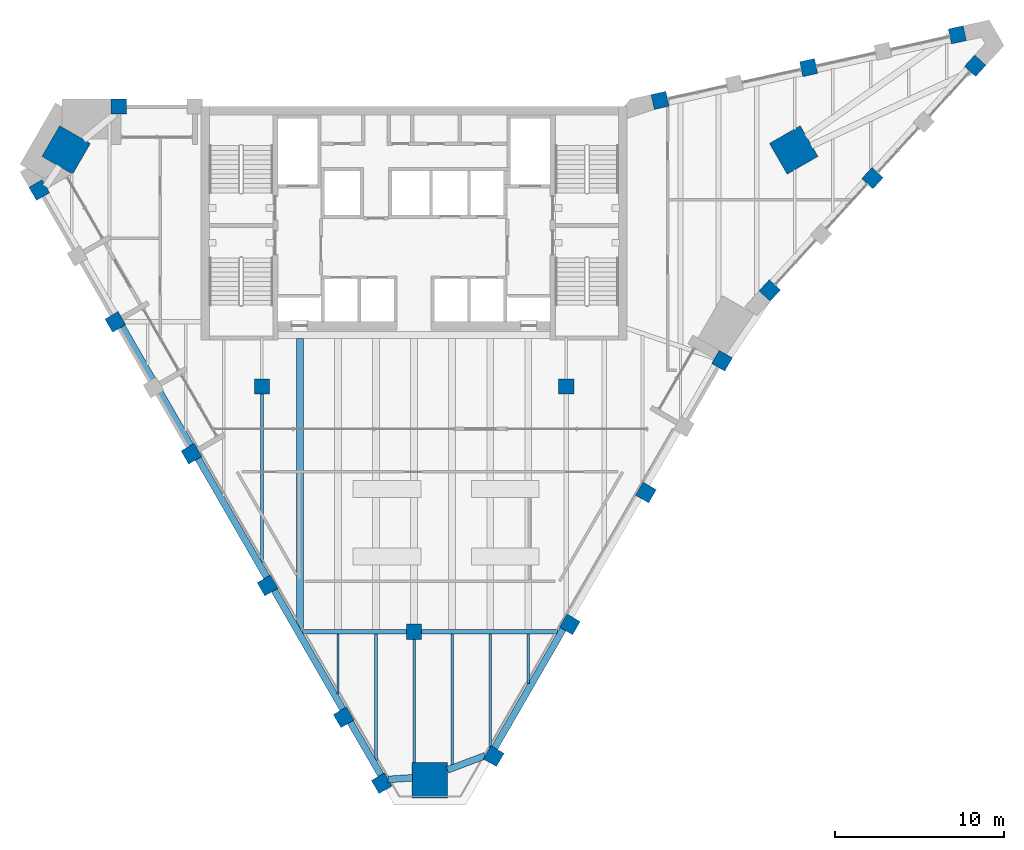
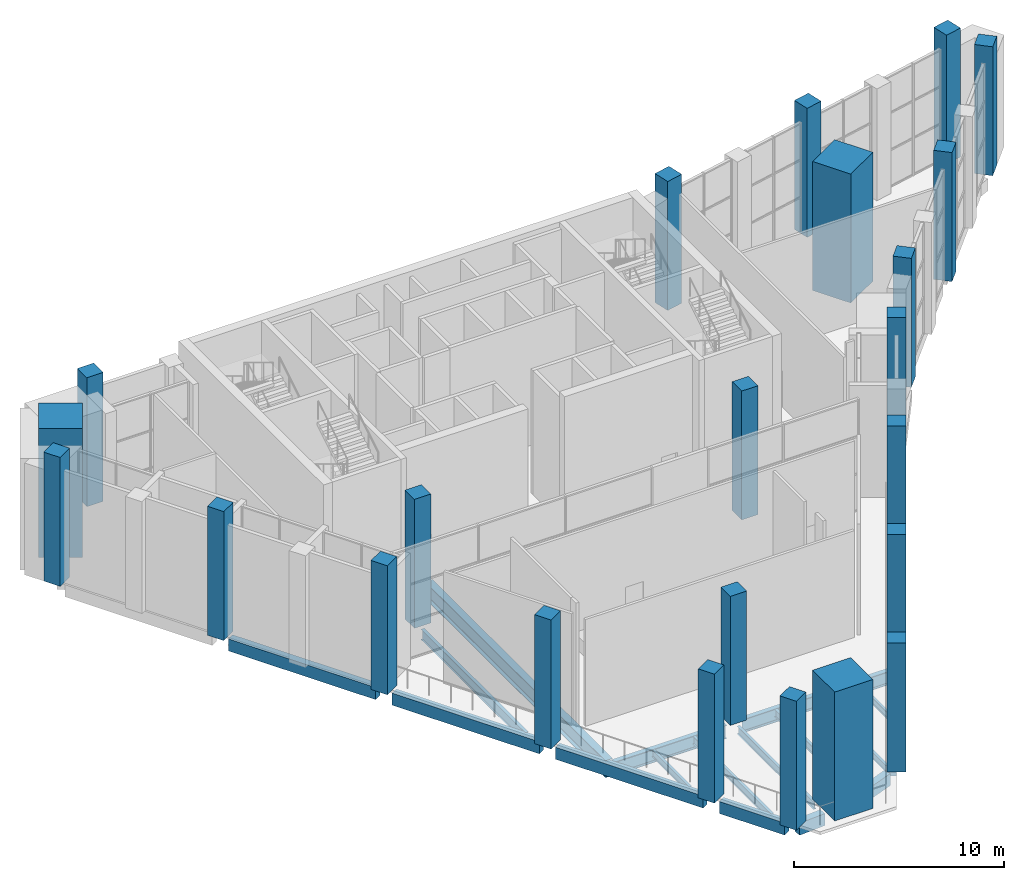
# One storey, part 1 of 14: 23 columns, 17 beams.
"""IFC4 building model written with IfcOpenShell, lengths in metres."""

from ifc_helpers import new_model, si_unit, direction, frame, origin, origin_2d, place, context, subcontext, project, spatial, rectangle, i_section, extrude, material, material_profile, profile_set, type_object, element, save


model = new_model("IFC4")

# Units and contexts
model_context = context("Model", 3, precision=1e-05, world=origin(), true_north=direction((0.0, 1.0)))
body_context = subcontext(model_context, "Body", "Model", "MODEL_VIEW")
ifc_project = project(units=[si_unit("LENGTHUNIT", "METRE"), si_unit("AREAUNIT", "SQUARE_METRE"), si_unit("VOLUMEUNIT", "CUBIC_METRE"), si_unit("PLANEANGLEUNIT", "RADIAN"), si_unit("MASSUNIT", "GRAM", prefix="KILO")], contexts=[model_context])

# Site, building, storey
site_placement = place(None, origin())
site = spatial("IfcSite", under=ifc_project, at=site_placement, CompositionType="ELEMENT")
building_placement = place(site_placement, origin())
building = spatial("IfcBuilding", under=site, at=building_placement, Name="Calabash Gate Tower", CompositionType="ELEMENT")
storey_placement = place(building_placement, frame((0.0, 0.0, 295.0)))
storey = spatial("IfcBuildingStorey", under=building, at=storey_placement, Name="L71", CompositionType="ELEMENT", Elevation=295.0)

# Columns
ifc_material_1 = material(Name="Concrete C60/75", Category="concrete")
ifc_material_profile_1 = material_profile(ifc_material_1, rectangle(XDim=0.89990234375, YDim=0.89990234375, at=origin_2d()))
ifc_profile_set_1 = profile_set([ifc_material_profile_1], Name="Concrete C60/75")
column_type_1 = type_object("IfcColumnType", Name="Interior column RC 900x900 Concrete C60/75", PredefinedType="COLUMN", material=ifc_profile_set_1)
for number, where, z_axis, x_axis, name in (
    (1, (-9.0, 2.5, 0.0), (0.0, 0.0, 1.0), (1.0, 0.0, 0.0), "Interior column L71 I0"),
    (2, (9.0, 2.5, 0.0), (0.0, 0.0, 1.0), (1.0, 0.0, 0.0), "Interior column L71 I1"),
    (3, (0.0, -12.0, 0.0), (0.0, 0.0, 1.0), (1.0, 0.0, 0.0), "Interior column L71 I2"),
):
    element("IfcColumn", number, at=place(storey_placement, frame(where, z_axis=z_axis, x_axis=x_axis)), inside=storey, type_object=column_type_1, Name=name, PredefinedType="COLUMN", context=body_context, shape_type="SweptSolid", body=[
        extrude(rectangle(XDim=0.89990234375, YDim=0.89990234375, at=origin_2d()), origin(), (0.0, 0.0, 1.0), 7.5),
    ])
ifc_material_2 = material(Name="Concrete C60/75", Category="concrete")
ifc_material_profile_2 = material_profile(ifc_material_2, rectangle(XDim=2.10009765625, YDim=2.10009765625, at=origin_2d()))
ifc_profile_set_2 = profile_set([ifc_material_profile_2], Name="Concrete C60/75")
column_type_2 = type_object("IfcColumnType", Name="Mega column RC 2100x2100 Concrete C60/75", PredefinedType="COLUMN", material=ifc_profile_set_2)
for number, where, z_axis, x_axis, name in (
    (4, (-20.572998046875, 16.491943359375, 0.0), (0.0, 0.0, 1.0), (0.866025395058, -0.500000015115, 0.0), "Mega column L71 NW"),
    (5, (22.447021484375, 16.491943359375, 0.0), (0.0, 0.0, 1.0), (-0.866025395058, -0.500000015115, 0.0), "Mega column L71 NE"),
    (6, (0.93603515625, -20.76611328125, 0.0), (0.0, 0.0, 1.0), (0.0, 1.0, 0.0), "Mega column L71 S"),
):
    element("IfcColumn", number, at=place(storey_placement, frame(where, z_axis=z_axis, x_axis=x_axis)), inside=storey, type_object=column_type_2, Name=name, PredefinedType="COLUMN", context=body_context, shape_type="SweptSolid", body=[
        extrude(rectangle(XDim=2.10009765625, YDim=2.10009765625, at=origin_2d()), origin(), (0.0, 0.0, 1.0), 7.5),
    ])
ifc_material_3 = material(Name="Concrete C50/60", Category="concrete")
ifc_material_profile_3 = material_profile(ifc_material_3, rectangle(XDim=0.89990234375, YDim=0.89990234375, at=origin_2d()))
ifc_profile_set_3 = profile_set([ifc_material_profile_3], Name="Concrete C50/60")
column_type_3 = type_object("IfcColumnType", Name="Perimeter column RC 900x900 Concrete C50/60", PredefinedType="COLUMN", material=ifc_profile_set_3)
for number, where, z_axis, x_axis, name in (
    (7, (-22.162109375, 14.1201171875, 0.0), (0.0, 0.0, 1.0), (0.500000015115, -0.866025395058, 0.0), "Perimeter column L71 P20"),
    (8, (-17.662109375, 6.325927734375, 0.0), (0.0, 0.0, 1.0), (0.500000015115, -0.866025395058, 0.0), "Perimeter column L71 P00"),
    (9, (-13.162109375, -1.468017578125, 0.0), (0.0, 0.0, 1.0), (0.500000015115, -0.866025395058, 0.0), "Perimeter column L71 P01"),
    (10, (-8.662109375, -9.262939453125, 0.0), (0.0, 0.0, 1.0), (0.500000015115, -0.866025395058, 0.0), "Perimeter column L71 P02"),
    (11, (-4.162109375, -17.056884765625, 0.0), (0.0, 0.0, 1.0), (0.500000015115, -0.866025395058, 0.0), "Perimeter column L71 P03"),
    (12, (-1.912109375, -20.9541015625, 0.0), (0.0, 0.0, 1.0), (0.500000015115, -0.866025395058, 0.0), "Perimeter column L71 P25"),
    (13, (4.7080078125, -19.35302734375, 0.0), (0.0, 0.0, 1.0), (0.499999984885, 0.866025412511, 0.0), "Perimeter column L71 P08"),
    (14, (9.2080078125, -11.55908203125, 0.0), (0.0, 0.0, 1.0), (0.499999984885, 0.866025412511, 0.0), "Perimeter column L71 P09"),
    (15, (13.7080078125, -3.762939453125, 0.0), (0.0, 0.0, 1.0), (0.499999984885, 0.866025412511, 0.0), "Perimeter column L71 P10"),
    (16, (18.2080078125, 4.030029296875, 0.0), (0.0, 0.0, 1.0), (0.499999984885, 0.866025412511, 0.0), "Perimeter column L71 P11"),
    (17, (21.031005859375, 8.18701171875, 0.0), (0.0, 0.0, 1.0), (0.67485604152, 0.737949404244, 0.0), "Perimeter column L71 P12"),
    (18, (27.10400390625, 14.825927734375, 0.0), (0.0, 0.0, 1.0), (0.67485604152, 0.737949404244, 0.0), "Perimeter column L71 P36"),
    (19, (33.177978515625, 21.468017578125, 0.0), (0.0, 0.0, 1.0), (0.67485604152, 0.737949404244, 0.0), "Perimeter column L71 P37"),
    (20, (32.12109375, 23.298095703125, 0.0), (0.0, 0.0, 1.0), (-0.976510951543, -0.215467773731, 0.0), "Perimeter column L71 P38"),
    (21, (23.3330078125, 21.35888671875, 0.0), (0.0, 0.0, 1.0), (-0.976510951543, -0.215467773731, 0.0), "Perimeter column L71 P39"),
    (22, (14.5439453125, 19.4189453125, 0.0), (0.0, 0.0, 1.0), (-0.976510951543, -0.215467773731, 0.0), "Perimeter column L71 P40"),
    (23, (-17.466064453125, 19.052978515625, 0.0), (0.0, 0.0, 1.0), (-1.0, 0.0, 0.0), "Perimeter column L71 P31"),
):
    element("IfcColumn", number, at=place(storey_placement, frame(where, z_axis=z_axis, x_axis=x_axis)), inside=storey, type_object=column_type_3, Name=name, PredefinedType="COLUMN", context=body_context, shape_type="SweptSolid", body=[
        extrude(rectangle(XDim=0.89990234375, YDim=0.89990234375, at=origin_2d()), origin(), (0.0, 0.0, 1.0), 7.5),
    ])

# Beams
ifc_material_4 = material(Name="Concrete C50/60", Category="concrete")
ifc_material_profile_4 = material_profile(ifc_material_4, rectangle(XDim=0.39990234375, YDim=0.699951171875, at=origin_2d()))
ifc_profile_set_4 = profile_set([ifc_material_profile_4], Name="Concrete C50/60")
beam_type_1 = type_object("IfcBeamType", Name="Edge beam RC 400x700 Concrete C50/60", PredefinedType="BEAM", material=ifc_profile_set_4)
for number, where, z_axis, x_axis, name in (
    (24, (-12.763916015625, -1.758056640625, -0.52001953125), (0.499977274689, -0.866038523851, 0.0), (0.866038523851, 0.499977274689, 0.0), "Edge beam L71 1"),
    (25, (-8.263916015625, -9.552001953125, -0.52001953125), (0.499977274689, -0.866038523851, 0.0), (0.866038523851, 0.499977274689, 0.0), "Edge beam L71 2"),
):
    element("IfcBeam", number, at=place(storey_placement, frame(where, z_axis=z_axis, x_axis=x_axis)), inside=storey, type_object=beam_type_1, Name=name, PredefinedType="BEAM", context=body_context, shape_type="SweptSolid", body=[
        extrude(rectangle(XDim=0.39990234375, YDim=0.699951171875, at=origin_2d()), origin(), (0.0, 0.0, 1.0), 8.10009765625),
    ])
beam_1_placement = place(storey_placement, frame((-3.763916015625, -17.346923828125, -0.52001953125), z_axis=(0.50001992892, -0.866013897511, 0.0), x_axis=(0.866013897511, 0.50001992892, 0.0)))
element("IfcBeam", 26, at=beam_1_placement, inside=storey, type_object=beam_type_1, Name="Edge beam L71 3", PredefinedType="BEAM", context=body_context, shape_type="SweptSolid", body=[
    extrude(rectangle(XDim=0.39990234375, YDim=0.699951171875, at=origin_2d()), origin(), (0.0, 0.0, 1.0), 3.599365234375),
])
beam_2_placement = place(storey_placement, frame((-1.54296875, -20.72900390625, -0.52001953125), z_axis=(0.997820674336, 0.065984103149, 0.0), x_axis=(-0.065984103149, 0.997820674336, 0.0)))
element("IfcBeam", 27, at=beam_2_placement, inside=storey, type_object=beam_type_1, Name="Edge beam L71 4", PredefinedType="BEAM", context=body_context, shape_type="SweptSolid", body=[
    extrude(rectangle(XDim=0.39990234375, YDim=0.699951171875, at=origin_2d()), origin(), (0.0, 0.0, 1.0), 1.4541015625),
])
beam_3_placement = place(storey_placement, frame((1.967041015625, -20.1669921875, -0.52001953125), z_axis=(0.936082215366, 0.351781304329, 0.0), x_axis=(-0.351781304329, 0.936082215366, 0.0)))
element("IfcBeam", 28, at=beam_3_placement, inside=storey, type_object=beam_type_1, Name="Edge beam L71 5", PredefinedType="BEAM", context=body_context, shape_type="SweptSolid", body=[
    extrude(rectangle(XDim=0.39990234375, YDim=0.699951171875, at=origin_2d()), origin(), (0.0, 0.0, 1.0), 2.399169921875),
])
beam_4_placement = place(storey_placement, frame((4.760009765625, -18.863037109375, -0.52001953125), z_axis=(0.50005208986, 0.865995327601, 0.0), x_axis=(-0.865995327601, 0.50005208986, 0.0)))
element("IfcBeam", 29, at=beam_4_placement, inside=storey, type_object=beam_type_1, Name="Edge beam L71 6", PredefinedType="BEAM", context=body_context, shape_type="SweptSolid", body=[
    extrude(rectangle(XDim=0.39990234375, YDim=0.699951171875, at=origin_2d()), origin(), (0.0, 0.0, 1.0), 8.099365234375),
])
beam_5_placement = place(storey_placement, frame((-17.263916015625, 6.035888671875, -0.52001953125), z_axis=(0.499977274689, -0.866038523851, 0.0), x_axis=(0.866038523851, 0.499977274689, 0.0)))
element("IfcBeam", 30, at=beam_5_placement, inside=storey, type_object=beam_type_1, Name="Edge beam L71 19", PredefinedType="BEAM", context=body_context, shape_type="SweptSolid", body=[
    extrude(rectangle(XDim=0.39990234375, YDim=0.699951171875, at=origin_2d()), origin(), (0.0, 0.0, 1.0), 8.10009765625),
])
ifc_material_5 = material(Name="Steel ASTM A992 Gr50", Category="steel")
ifc_material_profile_5 = material_profile(ifc_material_5, i_section(OverallWidth=0.1396484375, OverallDepth=0.398681640625, WebThickness=0.00634765625, FlangeThickness=0.0087890625, FilletRadius=0.01025390625, at=origin_2d()))
ifc_profile_set_5 = profile_set([ifc_material_profile_5], Name="Steel ASTM A992 Gr50")
beam_type_2 = type_object("IfcBeamType", Name="Floor beam W16x26 ASTM A992 Gr50", PredefinedType="BEAM", material=ifc_profile_set_5)
beam_6_placement = place(storey_placement, frame((-4.5, -15.68310546875, -0.368896484375), z_axis=(0.0, 1.0, 0.0), x_axis=(-1.0, 0.0, 0.0)))
element("IfcBeam", 31, at=beam_6_placement, inside=storey, type_object=beam_type_2, Name="Floor beam L71 9", PredefinedType="BEAM", context=body_context, shape_type="SweptSolid", body=[
    extrude(i_section(OverallWidth=0.1396484375, OverallDepth=0.398681640625, WebThickness=0.00634765625, FlangeThickness=0.0087890625, FilletRadius=0.01025390625, at=origin_2d()), origin(), (0.0, 0.0, 1.0), 3.550048828125),
])
beam_7_placement = place(storey_placement, frame((4.5, -18.843017578125, -0.368896484375), z_axis=(0.0, 1.0, 0.0), x_axis=(-1.0, 0.0, 0.0)))
element("IfcBeam", 32, at=beam_7_placement, inside=storey, type_object=beam_type_2, Name="Floor beam L71 17", PredefinedType="BEAM", context=body_context, shape_type="SweptSolid", body=[
    extrude(i_section(OverallWidth=0.1396484375, OverallDepth=0.398681640625, WebThickness=0.00634765625, FlangeThickness=0.0087890625, FilletRadius=0.01025390625, at=origin_2d()), origin(), (0.0, 0.0, 1.0), 6.7099609375),
])
beam_8_placement = place(storey_placement, frame((6.75, -15.048095703125, -0.368896484375), z_axis=(0.0, 1.0, 0.0), x_axis=(-1.0, 0.0, 0.0)))
element("IfcBeam", 33, at=beam_8_placement, inside=storey, type_object=beam_type_2, Name="Floor beam L71 19", PredefinedType="BEAM", context=body_context, shape_type="SweptSolid", body=[
    extrude(i_section(OverallWidth=0.1396484375, OverallDepth=0.398681640625, WebThickness=0.00634765625, FlangeThickness=0.0087890625, FilletRadius=0.01025390625, at=origin_2d()), origin(), (0.0, 0.0, 1.0), 2.9150390625),
])
ifc_material_6 = material(Name="Steel ASTM A992 Gr50", Category="steel")
ifc_material_profile_6 = material_profile(ifc_material_6, i_section(OverallWidth=0.15234375, OverallDepth=0.44970703125, WebThickness=0.007568359375, FlangeThickness=0.0107421875, FilletRadius=0.01025390625, at=origin_2d()))
ifc_profile_set_6 = profile_set([ifc_material_profile_6], Name="Steel ASTM A992 Gr50")
beam_type_3 = type_object("IfcBeamType", Name="Floor beam W18x35 ASTM A992 Gr50", PredefinedType="BEAM", material=ifc_profile_set_6)
beam_9_placement = place(storey_placement, frame((-2.25, -19.60009765625, -0.39306640625), z_axis=(0.0, 1.0, 0.0), x_axis=(-1.0, 0.0, 0.0)))
element("IfcBeam", 34, at=beam_9_placement, inside=storey, type_object=beam_type_3, Name="Floor beam L71 11", PredefinedType="BEAM", context=body_context, shape_type="SweptSolid", body=[
    extrude(i_section(OverallWidth=0.15234375, OverallDepth=0.44970703125, WebThickness=0.007568359375, FlangeThickness=0.0107421875, FilletRadius=0.01025390625, at=origin_2d()), origin(), (0.0, 0.0, 1.0), 7.467041015625),
])
beam_10_placement = place(storey_placement, frame((0.0, -19.716064453125, -0.39306640625), z_axis=(0.0, 1.0, 0.0), x_axis=(-1.0, 0.0, 0.0)))
element("IfcBeam", 35, at=beam_10_placement, inside=storey, type_object=beam_type_3, Name="Floor beam L71 13", PredefinedType="BEAM", context=body_context, shape_type="SweptSolid", body=[
    extrude(i_section(OverallWidth=0.15234375, OverallDepth=0.44970703125, WebThickness=0.007568359375, FlangeThickness=0.0107421875, FilletRadius=0.01025390625, at=origin_2d()), origin(), (0.0, 0.0, 1.0), 7.26611328125),
])
beam_11_placement = place(storey_placement, frame((2.25, -19.85888671875, -0.39306640625), z_axis=(0.0, 1.0, 0.0), x_axis=(-1.0, 0.0, 0.0)))
element("IfcBeam", 36, at=beam_11_placement, inside=storey, type_object=beam_type_3, Name="Floor beam L71 15", PredefinedType="BEAM", context=body_context, shape_type="SweptSolid", body=[
    extrude(i_section(OverallWidth=0.15234375, OverallDepth=0.44970703125, WebThickness=0.007568359375, FlangeThickness=0.0107421875, FilletRadius=0.01025390625, at=origin_2d()), origin(), (0.0, 0.0, 1.0), 7.725830078125),
])
ifc_material_7 = material(Name="Steel ASTM A992 Gr50", Category="steel")
ifc_material_profile_7 = material_profile(ifc_material_7, i_section(OverallWidth=0.1787109375, OverallDepth=0.60205078125, WebThickness=0.010986328125, FlangeThickness=0.014892578125, FilletRadius=0.0126953125, at=origin_2d()))
ifc_profile_set_7 = profile_set([ifc_material_profile_7], Name="Steel ASTM A992 Gr50")
beam_type_4 = type_object("IfcBeamType", Name="Floor beam W24x62 ASTM A992 Gr50", PredefinedType="BEAM", material=ifc_profile_set_7)
beam_12_placement = place(storey_placement, frame((-9.0, -7.888916015625, -0.470947265625), z_axis=(0.0, 1.0, 0.0), x_axis=(-1.0, 0.0, 0.0)))
element("IfcBeam", 37, at=beam_12_placement, inside=storey, type_object=beam_type_4, Name="Floor beam L71 6", PredefinedType="BEAM", context=body_context, shape_type="SweptSolid", body=[
    extrude(i_section(OverallWidth=0.1787109375, OverallDepth=0.60205078125, WebThickness=0.010986328125, FlangeThickness=0.014892578125, FilletRadius=0.0126953125, at=origin_2d()), origin(), (0.0, 0.0, 1.0), 9.93896484375),
])
ifc_material_8 = material(Name="Steel ASTM A992 Gr50", Category="steel")
ifc_material_profile_8 = material_profile(ifc_material_8, i_section(OverallWidth=0.4013671875, OverallDepth=0.990478515625, WebThickness=0.0166015625, FlangeThickness=0.031005859375, FilletRadius=0.030029296875, at=origin_2d()))
ifc_profile_set_8 = profile_set([ifc_material_profile_8], Name="Steel ASTM A992 Gr50")
beam_type_5 = type_object("IfcBeamType", Name="Floor beam W40x215 ASTM A992 Gr50", PredefinedType="BEAM", material=ifc_profile_set_8)
beam_13_placement = place(storey_placement, frame((-6.75, -11.805908203125, -0.6630859375), z_axis=(0.0, 1.0, 0.0), x_axis=(-1.0, 0.0, 0.0)))
element("IfcBeam", 38, at=beam_13_placement, inside=storey, type_object=beam_type_5, Name="Floor beam L71 8", PredefinedType="BEAM", context=body_context, shape_type="SweptSolid", body=[
    extrude(i_section(OverallWidth=0.4013671875, OverallDepth=0.990478515625, WebThickness=0.0166015625, FlangeThickness=0.031005859375, FilletRadius=0.030029296875, at=origin_2d()), origin(), (0.0, 0.0, 1.0), 17.157958984375),
])
ifc_material_9 = material(Name="Steel ASTM A992 Gr50", Category="steel")
ifc_material_profile_9 = material_profile(ifc_material_9, i_section(OverallWidth=0.2666015625, OverallDepth=0.77978515625, WebThickness=0.0166015625, FlangeThickness=0.030029296875, FilletRadius=0.0166015625, at=origin_2d()))
ifc_profile_set_9 = profile_set([ifc_material_profile_9], Name="Steel ASTM A992 Gr50")
beam_type_6 = type_object("IfcBeamType", Name="Girder W30x148 ASTM A992 Gr50", PredefinedType="BEAM", material=ifc_profile_set_9)
beam_14_placement = place(storey_placement, frame((-6.632080078125, -12.0, -0.56005859375), z_axis=(1.0, 0.0, 0.0), x_axis=(0.0, 1.0, 0.0)))
element("IfcBeam", 39, at=beam_14_placement, inside=storey, type_object=beam_type_6, Name="Girder L71 4", PredefinedType="BEAM", context=body_context, shape_type="SweptSolid", body=[
    extrude(i_section(OverallWidth=0.2666015625, OverallDepth=0.77978515625, WebThickness=0.0166015625, FlangeThickness=0.030029296875, FilletRadius=0.0166015625, at=origin_2d()), origin(), (0.0, 0.0, 1.0), 6.18212890625),
])
beam_15_placement = place(storey_placement, frame((0.449951171875, -12.0, -0.56005859375), z_axis=(1.0, 0.0, 0.0), x_axis=(0.0, 1.0, 0.0)))
element("IfcBeam", 40, at=beam_15_placement, inside=storey, type_object=beam_type_6, Name="Girder L71 5", PredefinedType="BEAM", context=body_context, shape_type="SweptSolid", body=[
    extrude(i_section(OverallWidth=0.2666015625, OverallDepth=0.77978515625, WebThickness=0.0166015625, FlangeThickness=0.030029296875, FilletRadius=0.0166015625, at=origin_2d()), origin(), (0.0, 0.0, 1.0), 8.052978515625),
])

save(model, "model.ifc")
